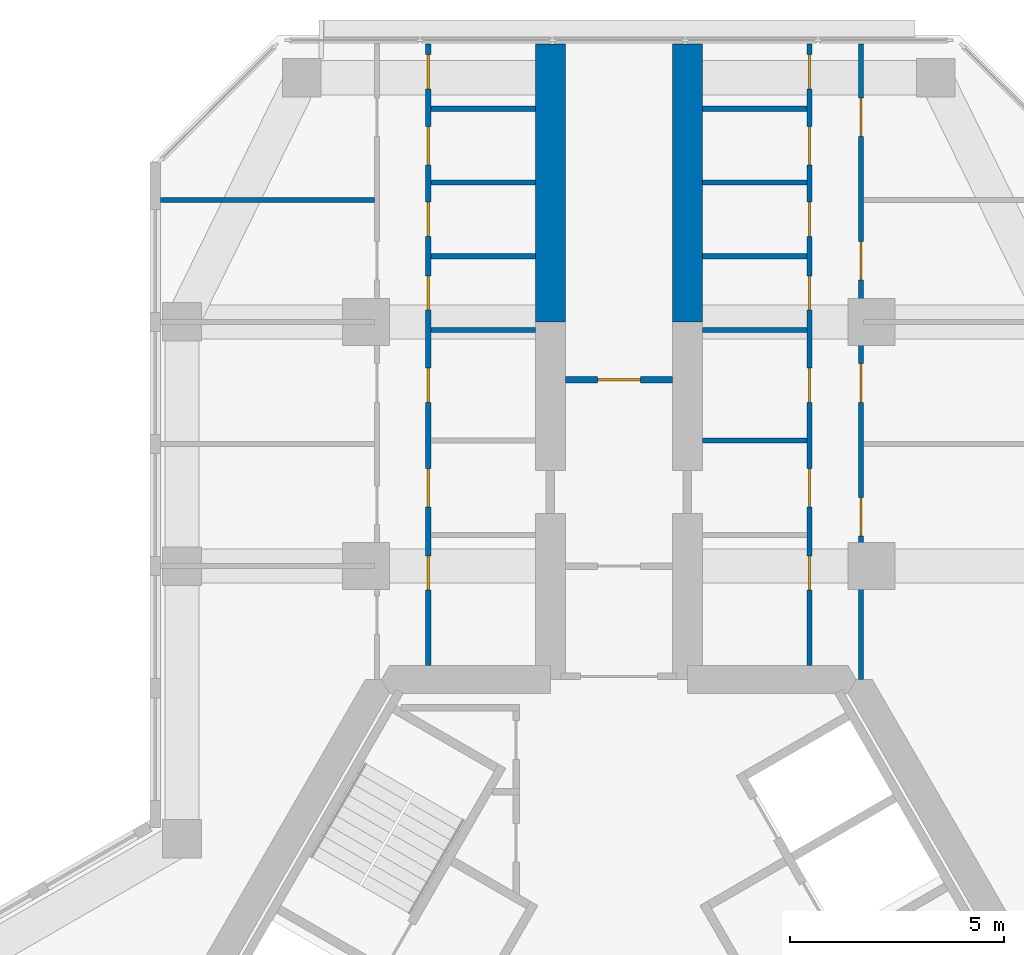
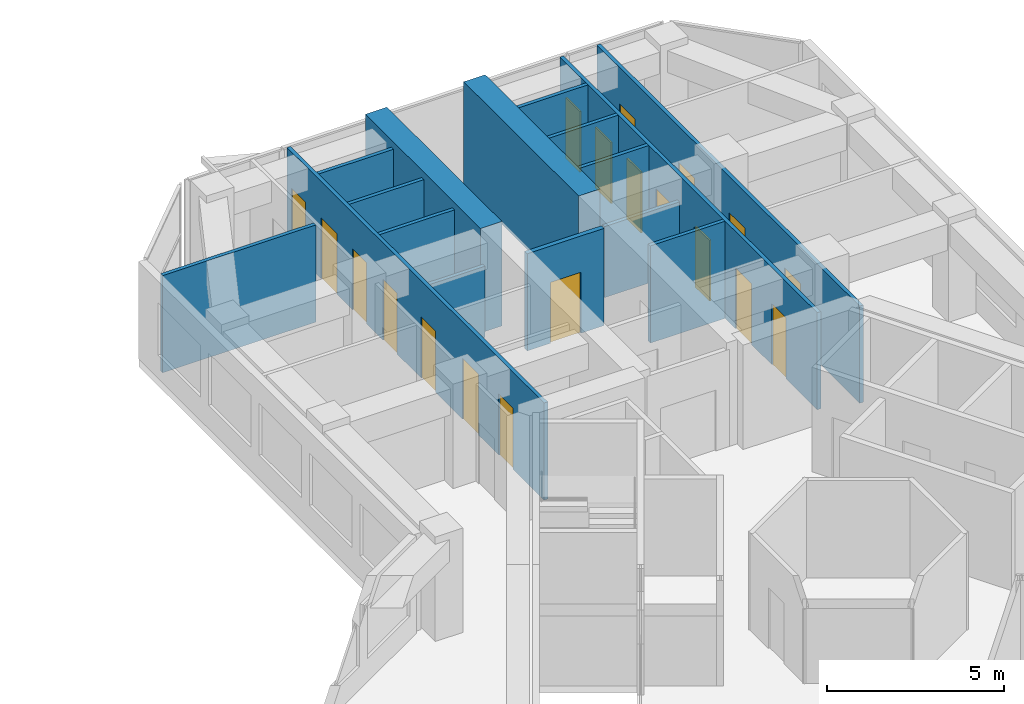
# One storey, part 15 of 17: 19 doors, 16 walls, 19 openings.
"""IFC4 building model written with IfcOpenShell, lengths in metres."""

from ifc_helpers import new_model, si_unit, direction, frame, frame_2d, origin, place, context, subcontext, project, spatial, rectangle, extrude, material, layer, layer_set, type_object, element, fill, save


model = new_model("IFC4")

# Units and contexts
model_context = context("Model", 3, precision=1e-05, world=origin(), true_north=direction((0.0, 1.0)))
body_context = subcontext(model_context, "Body", "Model", "MODEL_VIEW")
ifc_project = project(units=[si_unit("LENGTHUNIT", "METRE"), si_unit("AREAUNIT", "SQUARE_METRE"), si_unit("VOLUMEUNIT", "CUBIC_METRE"), si_unit("PLANEANGLEUNIT", "RADIAN"), si_unit("MASSUNIT", "GRAM", prefix="KILO")], contexts=[model_context])

# Site, building, storey
site_placement = place(None, origin())
site = spatial("IfcSite", under=ifc_project, at=site_placement, CompositionType="ELEMENT")
building_placement = place(site_placement, origin())
building = spatial("IfcBuilding", under=site, at=building_placement, Name="Kosmar Iwan School Tower", CompositionType="ELEMENT")
storey_placement = place(building_placement, frame((0.0, 0.0, 193.800048828125)))
storey = spatial("IfcBuildingStorey", under=building, at=storey_placement, Name="L48", CompositionType="ELEMENT", Elevation=193.800048828125)

# Walls
ifc_material_1 = material(Name="Concrete C50/60", Category="concrete")
ifc_layer_1 = layer(ifc_material_1, 0.699951171875)
ifc_layer_set_1 = layer_set([ifc_layer_1], Name="Corridor buttress wall 700")
wall_type_1 = type_object("IfcWallType", Name="Corridor buttress wall 700", PredefinedType="SHEAR", material=ifc_layer_set_1)
for number, where, z_axis, x_axis, name in (
    (1, (-1.60009765625, 17.949951171875, 0.0), (0.0, 0.0, 1.0), (0.0, 1.0, 0.0), "Corridor wall AL bay 2"),
    (2, (1.60009765625, 17.949951171875, 0.0), (0.0, 0.0, 1.0), (0.0, 1.0, 0.0), "Corridor wall AR bay 2"),
):
    element("IfcWall", number, at=place(storey_placement, frame(where, z_axis=z_axis, x_axis=x_axis)), inside=storey, type_object=wall_type_1, Name=name, PredefinedType="SHEAR", context=body_context, shape_type="SweptSolid", body=[
        extrude(rectangle(XDim=6.4951171875, YDim=0.699951171875, at=frame_2d((3.24755859375, 0.0))), origin(), (0.0, 0.0, 1.0), 3.599853515625),
    ])

# Wall, opening, door
ifc_material_2 = material(Name="Gypsum board on steel studs, fire-rated", Category="steel")
ifc_layer_2 = layer(ifc_material_2, 0.14990234375)
ifc_layer_set_2 = layer_set([ifc_layer_2], Name="Corridor end wall 150")
wall_type_2 = type_object("IfcWallType", Name="Corridor end wall 150", PredefinedType="PARTITIONING", material=ifc_layer_set_2)
wall_1_placement = place(storey_placement, frame((1.25, 16.60009765625, 0.0), z_axis=(0.0, 0.0, 1.0), x_axis=(-1.0, 0.0, 0.0)))
wall_1 = element("IfcWall", 3, at=wall_1_placement, inside=storey, type_object=wall_type_2, Name="Partition L48-A-CE", PredefinedType="PARTITIONING", context=body_context, shape_type="SweptSolid", body=[
    extrude(rectangle(XDim=2.5, YDim=0.14990234375, at=frame_2d((1.25, 0.0))), origin(), (0.0, 0.0, 1.0), 3.349853515625),
])
opening_1_placement = place(wall_1_placement, frame((0.75, 0.0, 0.0)))
opening_1 = element("IfcOpeningElement", 4, at=opening_1_placement, cuts=wall_1, Name="Opening D13", PredefinedType="OPENING", context=body_context, shape_type="SweptSolid", body=[
    extrude(rectangle(XDim=1.0, YDim=2.10009765625, at=frame_2d((0.5, 1.050048828125))), frame((0.0, 0.0869140625, 0.0), z_axis=(0.0, -1.0, 0.0), x_axis=(1.0, 0.0, 0.0)), (0.0, 0.0, 1.0), 0.173828125),
])
ifc_material_3 = material(Name="Timber fire door with vision panel", Category="wood")
door_type_1 = type_object("IfcDoorType", Name="Corridor end door 1000x2100", OperationType="SINGLE_SWING_LEFT", PredefinedType="DOOR", material=ifc_material_3)
door_1_placement = place(opening_1_placement, origin())
door_1 = element("IfcDoor", 5, at=door_1_placement, inside=storey, type_object=door_type_1, Name="Reading room door L48-A", OperationType="SINGLE_SWING_LEFT", OverallHeight=2.10009765625, OverallWidth=1.0, PredefinedType="DOOR", context=body_context, shape_type="SweptSolid", body=[
    extrude(rectangle(XDim=1.0, YDim=2.10009765625, at=frame_2d((0.5, 1.050048828125))), frame((0.0, 0.02490234375, 0.0), z_axis=(0.0, -1.0, 0.0), x_axis=(1.0, 0.0, 0.0)), (0.0, 0.0, 1.0), 0.050048828125),
])
fill(opening_1, door_1)

# Wall, openings, doors
ifc_material_4 = material(Name="Gypsum board on steel studs", Category="steel")
ifc_layer_3 = layer(ifc_material_4, 0.1201171875)
ifc_layer_set_3 = layer_set([ifc_layer_3], Name="Dwelling partition 120")
wall_type_3 = type_object("IfcWallType", Name="Dwelling partition 120", PredefinedType="PARTITIONING", material=ifc_layer_set_3)
wall_2_placement = place(storey_placement, frame((-4.449951171875, 9.925048828125, 0.0), z_axis=(0.0, 0.0, 1.0), x_axis=(0.0, 1.0, 0.0)))
wall_2 = element("IfcWall", 6, at=wall_2_placement, inside=storey, type_object=wall_type_3, Name="Partition L48-AL1-W1", PredefinedType="PARTITIONING", context=body_context, shape_type="SweptSolid", body=[
    extrude(rectangle(XDim=14.52001953125, YDim=0.1201171875, at=frame_2d((7.260009765625, 0.0))), origin(), (0.0, 0.0, 1.0), 3.349853515625),
])
opening_2_placement = place(wall_2_placement, frame((1.764892578125, 0.0, 0.0)))
opening_2 = element("IfcOpeningElement", 7, at=opening_2_placement, cuts=wall_2, Name="Opening D3", PredefinedType="OPENING", context=body_context, shape_type="SweptSolid", body=[
    extrude(rectangle(XDim=0.800048828125, YDim=2.10009765625, at=frame_2d((0.39990234375, 1.050048828125))), frame((0.0, 0.072021484375, 0.0), z_axis=(0.0, -1.0, 0.0), x_axis=(1.0, 0.0, 0.0)), (0.0, 0.0, 1.0), 0.14404296875),
])
opening_3_placement = place(wall_2_placement, frame((3.705078125, 0.0, 0.0)))
opening_3 = element("IfcOpeningElement", 8, at=opening_3_placement, cuts=wall_2, Name="Opening D2", PredefinedType="OPENING", context=body_context, shape_type="SweptSolid", body=[
    extrude(rectangle(XDim=0.89990234375, YDim=2.10009765625, at=frame_2d((0.449951171875, 1.050048828125))), frame((0.0, 0.072021484375, 0.0), z_axis=(0.0, -1.0, 0.0), x_axis=(1.0, 0.0, 0.0)), (0.0, 0.0, 1.0), 0.14404296875),
])
opening_4_placement = place(wall_2_placement, frame((6.146484375, 0.0, 0.0)))
opening_4 = element("IfcOpeningElement", 9, at=opening_4_placement, cuts=wall_2, Name="Opening D3", PredefinedType="OPENING", context=body_context, shape_type="SweptSolid", body=[
    extrude(rectangle(XDim=0.800048828125, YDim=2.10009765625, at=frame_2d((0.39990234375, 1.050048828125))), frame((0.0, 0.072021484375, 0.0), z_axis=(0.0, -1.0, 0.0), x_axis=(1.0, 0.0, 0.0)), (0.0, 0.0, 1.0), 0.14404296875),
])
opening_5_placement = place(wall_2_placement, frame((8.298583984375, 0.0, 0.0)))
opening_5 = element("IfcOpeningElement", 10, at=opening_5_placement, cuts=wall_2, Name="Opening D3", PredefinedType="OPENING", context=body_context, shape_type="SweptSolid", body=[
    extrude(rectangle(XDim=0.800048828125, YDim=2.10009765625, at=frame_2d((0.39990234375, 1.050048828125))), frame((0.0, 0.072021484375, 0.0), z_axis=(0.0, -1.0, 0.0), x_axis=(1.0, 0.0, 0.0)), (0.0, 0.0, 1.0), 0.14404296875),
])
opening_6_placement = place(wall_2_placement, frame((10.0205078125, 0.0, 0.0)))
opening_6 = element("IfcOpeningElement", 11, at=opening_6_placement, cuts=wall_2, Name="Opening D3", PredefinedType="OPENING", context=body_context, shape_type="SweptSolid", body=[
    extrude(rectangle(XDim=0.800048828125, YDim=2.10009765625, at=frame_2d((0.39990234375, 1.050048828125))), frame((0.0, 0.072021484375, 0.0), z_axis=(0.0, -1.0, 0.0), x_axis=(1.0, 0.0, 0.0)), (0.0, 0.0, 1.0), 0.14404296875),
])
opening_7_placement = place(wall_2_placement, frame((11.6923828125, 0.0, 0.0)))
opening_7 = element("IfcOpeningElement", 12, at=opening_7_placement, cuts=wall_2, Name="Opening D2", PredefinedType="OPENING", context=body_context, shape_type="SweptSolid", body=[
    extrude(rectangle(XDim=0.89990234375, YDim=2.10009765625, at=frame_2d((0.449951171875, 1.050048828125))), frame((0.0, 0.072021484375, 0.0), z_axis=(0.0, -1.0, 0.0), x_axis=(1.0, 0.0, 0.0)), (0.0, 0.0, 1.0), 0.14404296875),
])
opening_8_placement = place(wall_2_placement, frame((13.464111328125, 0.0, 0.0)))
opening_8 = element("IfcOpeningElement", 13, at=opening_8_placement, cuts=wall_2, Name="Opening D3", PredefinedType="OPENING", context=body_context, shape_type="SweptSolid", body=[
    extrude(rectangle(XDim=0.800048828125, YDim=2.10009765625, at=frame_2d((0.39990234375, 1.050048828125))), frame((0.0, 0.072021484375, 0.0), z_axis=(0.0, -1.0, 0.0), x_axis=(1.0, 0.0, 0.0)), (0.0, 0.0, 1.0), 0.14404296875),
])
ifc_material_5 = material(Name="Timber door in timber frame", Category="wood")
door_type_2 = type_object("IfcDoorType", Name="Internal door 900x2100", OperationType="SINGLE_SWING_LEFT", PredefinedType="DOOR", material=ifc_material_5)
door_2_placement = place(opening_3_placement, origin())
door_2 = element("IfcDoor", 14, at=door_2_placement, inside=storey, type_object=door_type_2, Name="Entrance hall door L48-AL1-S2", OperationType="SINGLE_SWING_LEFT", OverallHeight=2.10009765625, OverallWidth=0.89990234375, PredefinedType="DOOR", context=body_context, shape_type="SweptSolid", body=[
    extrude(rectangle(XDim=0.89990234375, YDim=2.10009765625, at=frame_2d((0.449951171875, 1.050048828125))), frame((0.0, 0.02490234375, 0.0), z_axis=(0.0, -1.0, 0.0), x_axis=(1.0, 0.0, 0.0)), (0.0, 0.0, 1.0), 0.050048828125),
])
fill(opening_3, door_2)
door_3_placement = place(opening_7_placement, origin())
door_3 = element("IfcDoor", 15, at=door_3_placement, inside=storey, type_object=door_type_2, Name="Pantry door L48-AL1-S6", OperationType="SINGLE_SWING_RIGHT", OverallHeight=2.10009765625, OverallWidth=0.89990234375, PredefinedType="DOOR", context=body_context, shape_type="SweptSolid", body=[
    extrude(rectangle(XDim=0.89990234375, YDim=2.10009765625, at=frame_2d((0.449951171875, 1.050048828125))), frame((0.0, 0.02490234375, 0.0), z_axis=(0.0, -1.0, 0.0), x_axis=(1.0, 0.0, 0.0)), (0.0, 0.0, 1.0), 0.050048828125),
])
fill(opening_7, door_3)
ifc_material_6 = material(Name="Timber door in timber frame", Category="wood")
door_type_3 = type_object("IfcDoorType", Name="Sanitary room door 800x2100", OperationType="SINGLE_SWING_LEFT", PredefinedType="DOOR", material=ifc_material_6)
door_4_placement = place(opening_2_placement, origin())
door_4 = element("IfcDoor", 16, at=door_4_placement, inside=storey, type_object=door_type_3, Name="WC door L48-AL1-S1", OperationType="SINGLE_SWING_LEFT", OverallHeight=2.10009765625, OverallWidth=0.800048828125, PredefinedType="DOOR", context=body_context, shape_type="SweptSolid", body=[
    extrude(rectangle(XDim=0.800048828125, YDim=2.10009765625, at=frame_2d((0.39990234375, 1.050048828125))), frame((0.0, 0.02490234375, 0.0), z_axis=(0.0, -1.0, 0.0), x_axis=(1.0, 0.0, 0.0)), (0.0, 0.0, 1.0), 0.050048828125),
])
fill(opening_2, door_4)
door_5_placement = place(opening_4_placement, origin())
door_5 = element("IfcDoor", 17, at=door_5_placement, inside=storey, type_object=door_type_3, Name="Bathroom door L48-AL1-S3", OperationType="SINGLE_SWING_LEFT", OverallHeight=2.10009765625, OverallWidth=0.800048828125, PredefinedType="DOOR", context=body_context, shape_type="SweptSolid", body=[
    extrude(rectangle(XDim=0.800048828125, YDim=2.10009765625, at=frame_2d((0.39990234375, 1.050048828125))), frame((0.0, 0.02490234375, 0.0), z_axis=(0.0, -1.0, 0.0), x_axis=(1.0, 0.0, 0.0)), (0.0, 0.0, 1.0), 0.050048828125),
])
fill(opening_4, door_5)
door_6_placement = place(opening_5_placement, origin())
door_6 = element("IfcDoor", 18, at=door_6_placement, inside=storey, type_object=door_type_3, Name="Grandparents' shower room door L48-AL1-S4", OperationType="SINGLE_SWING_RIGHT", OverallHeight=2.10009765625, OverallWidth=0.800048828125, PredefinedType="DOOR", context=body_context, shape_type="SweptSolid", body=[
    extrude(rectangle(XDim=0.800048828125, YDim=2.10009765625, at=frame_2d((0.39990234375, 1.050048828125))), frame((0.0, 0.02490234375, 0.0), z_axis=(0.0, -1.0, 0.0), x_axis=(1.0, 0.0, 0.0)), (0.0, 0.0, 1.0), 0.050048828125),
])
fill(opening_5, door_6)
door_7_placement = place(opening_6_placement, origin())
door_7 = element("IfcDoor", 19, at=door_7_placement, inside=storey, type_object=door_type_3, Name="Shower room door L48-AL1-S5", OperationType="SINGLE_SWING_RIGHT", OverallHeight=2.10009765625, OverallWidth=0.800048828125, PredefinedType="DOOR", context=body_context, shape_type="SweptSolid", body=[
    extrude(rectangle(XDim=0.800048828125, YDim=2.10009765625, at=frame_2d((0.39990234375, 1.050048828125))), frame((0.0, 0.02490234375, 0.0), z_axis=(0.0, -1.0, 0.0), x_axis=(1.0, 0.0, 0.0)), (0.0, 0.0, 1.0), 0.050048828125),
])
fill(opening_6, door_7)
door_8_placement = place(opening_8_placement, origin())
door_8 = element("IfcDoor", 20, at=door_8_placement, inside=storey, type_object=door_type_3, Name="Store door L48-AL1-S7", OperationType="SINGLE_SWING_RIGHT", OverallHeight=2.10009765625, OverallWidth=0.800048828125, PredefinedType="DOOR", context=body_context, shape_type="SweptSolid", body=[
    extrude(rectangle(XDim=0.800048828125, YDim=2.10009765625, at=frame_2d((0.39990234375, 1.050048828125))), frame((0.0, 0.02490234375, 0.0), z_axis=(0.0, -1.0, 0.0), x_axis=(1.0, 0.0, 0.0)), (0.0, 0.0, 1.0), 0.050048828125),
])
fill(opening_8, door_8)

# Walls
wall_3_placement = place(storey_placement, frame((-5.7099609375, 20.800048828125, 0.0), z_axis=(0.0, 0.0, 1.0), x_axis=(-1.0, 0.0, 0.0)))
element("IfcWall", 21, at=wall_3_placement, inside=storey, type_object=wall_type_3, Name="Partition L48-AL1-X4", PredefinedType="PARTITIONING", context=body_context, shape_type="SweptSolid", body=[
    extrude(rectangle(XDim=4.989990234375, YDim=0.1201171875, at=frame_2d((2.4951171875, 0.0))), origin(), (0.0, 0.0, 1.0), 3.349853515625),
])
wall_4_placement = place(storey_placement, frame((-1.949951171875, 17.7626953125, 0.0), z_axis=(0.0, 0.0, 1.0), x_axis=(-1.0, 0.0, 0.0)))
element("IfcWall", 22, at=wall_4_placement, inside=storey, type_object=wall_type_3, Name="Partition L48-AL1-Y3", PredefinedType="PARTITIONING", context=body_context, shape_type="SweptSolid", body=[
    extrude(rectangle(XDim=2.43994140625, YDim=0.1201171875, at=frame_2d((1.219970703125, 0.0))), origin(), (0.0, 0.0, 1.0), 2.449951171875),
])
for number, where, z_axis, x_axis, name in (
    (23, (-1.949951171875, 19.484619140625, 0.0), (0.0, 0.0, 1.0), (-1.0, 0.0, 0.0), "Partition L48-AL1-Y4"),
    (24, (-1.949951171875, 21.206298828125, 0.0), (0.0, 0.0, 1.0), (-1.0, 0.0, 0.0), "Partition L48-AL1-Y5"),
    (25, (-1.949951171875, 22.92822265625, 0.0), (0.0, 0.0, 1.0), (-1.0, 0.0, 0.0), "Partition L48-AL1-Y6"),
):
    element("IfcWall", number, at=place(storey_placement, frame(where, z_axis=z_axis, x_axis=x_axis)), inside=storey, type_object=wall_type_3, Name=name, PredefinedType="PARTITIONING", context=body_context, shape_type="SweptSolid", body=[
        extrude(rectangle(XDim=2.43994140625, YDim=0.1201171875, at=frame_2d((1.219970703125, 0.0))), origin(), (0.0, 0.0, 1.0), 3.349853515625),
    ])

# Wall, openings, doors
wall_5_placement = place(storey_placement, frame((4.449951171875, 9.925048828125, 0.0), z_axis=(0.0, 0.0, 1.0), x_axis=(0.0, 1.0, 0.0)))
wall_5 = element("IfcWall", 26, at=wall_5_placement, inside=storey, type_object=wall_type_3, Name="Partition L48-AR1-W1", PredefinedType="PARTITIONING", context=body_context, shape_type="SweptSolid", body=[
    extrude(rectangle(XDim=14.52001953125, YDim=0.1201171875, at=frame_2d((7.260009765625, 0.0))), origin(), (0.0, 0.0, 1.0), 3.349853515625),
])
opening_9_placement = place(wall_5_placement, frame((1.764892578125, 0.0, 0.0)))
opening_9 = element("IfcOpeningElement", 27, at=opening_9_placement, cuts=wall_5, Name="Opening D3", PredefinedType="OPENING", context=body_context, shape_type="SweptSolid", body=[
    extrude(rectangle(XDim=0.800048828125, YDim=2.10009765625, at=frame_2d((0.39990234375, 1.050048828125))), frame((0.0, 0.072021484375, 0.0), z_axis=(0.0, -1.0, 0.0), x_axis=(1.0, 0.0, 0.0)), (0.0, 0.0, 1.0), 0.14404296875),
])
opening_10_placement = place(wall_5_placement, frame((3.705078125, 0.0, 0.0)))
opening_10 = element("IfcOpeningElement", 28, at=opening_10_placement, cuts=wall_5, Name="Opening D2", PredefinedType="OPENING", context=body_context, shape_type="SweptSolid", body=[
    extrude(rectangle(XDim=0.89990234375, YDim=2.10009765625, at=frame_2d((0.449951171875, 1.050048828125))), frame((0.0, 0.072021484375, 0.0), z_axis=(0.0, -1.0, 0.0), x_axis=(1.0, 0.0, 0.0)), (0.0, 0.0, 1.0), 0.14404296875),
])
opening_11_placement = place(wall_5_placement, frame((6.146484375, 0.0, 0.0)))
opening_11 = element("IfcOpeningElement", 29, at=opening_11_placement, cuts=wall_5, Name="Opening D3", PredefinedType="OPENING", context=body_context, shape_type="SweptSolid", body=[
    extrude(rectangle(XDim=0.800048828125, YDim=2.10009765625, at=frame_2d((0.39990234375, 1.050048828125))), frame((0.0, 0.072021484375, 0.0), z_axis=(0.0, -1.0, 0.0), x_axis=(1.0, 0.0, 0.0)), (0.0, 0.0, 1.0), 0.14404296875),
])
opening_12_placement = place(wall_5_placement, frame((8.298583984375, 0.0, 0.0)))
opening_12 = element("IfcOpeningElement", 30, at=opening_12_placement, cuts=wall_5, Name="Opening D3", PredefinedType="OPENING", context=body_context, shape_type="SweptSolid", body=[
    extrude(rectangle(XDim=0.800048828125, YDim=2.10009765625, at=frame_2d((0.39990234375, 1.050048828125))), frame((0.0, 0.072021484375, 0.0), z_axis=(0.0, -1.0, 0.0), x_axis=(1.0, 0.0, 0.0)), (0.0, 0.0, 1.0), 0.14404296875),
])
opening_13_placement = place(wall_5_placement, frame((10.0205078125, 0.0, 0.0)))
opening_13 = element("IfcOpeningElement", 31, at=opening_13_placement, cuts=wall_5, Name="Opening D3", PredefinedType="OPENING", context=body_context, shape_type="SweptSolid", body=[
    extrude(rectangle(XDim=0.800048828125, YDim=2.10009765625, at=frame_2d((0.39990234375, 1.050048828125))), frame((0.0, 0.072021484375, 0.0), z_axis=(0.0, -1.0, 0.0), x_axis=(1.0, 0.0, 0.0)), (0.0, 0.0, 1.0), 0.14404296875),
])
opening_14_placement = place(wall_5_placement, frame((11.6923828125, 0.0, 0.0)))
opening_14 = element("IfcOpeningElement", 32, at=opening_14_placement, cuts=wall_5, Name="Opening D2", PredefinedType="OPENING", context=body_context, shape_type="SweptSolid", body=[
    extrude(rectangle(XDim=0.89990234375, YDim=2.10009765625, at=frame_2d((0.449951171875, 1.050048828125))), frame((0.0, 0.072021484375, 0.0), z_axis=(0.0, -1.0, 0.0), x_axis=(1.0, 0.0, 0.0)), (0.0, 0.0, 1.0), 0.14404296875),
])
opening_15_placement = place(wall_5_placement, frame((13.464111328125, 0.0, 0.0)))
opening_15 = element("IfcOpeningElement", 33, at=opening_15_placement, cuts=wall_5, Name="Opening D3", PredefinedType="OPENING", context=body_context, shape_type="SweptSolid", body=[
    extrude(rectangle(XDim=0.800048828125, YDim=2.10009765625, at=frame_2d((0.39990234375, 1.050048828125))), frame((0.0, 0.072021484375, 0.0), z_axis=(0.0, -1.0, 0.0), x_axis=(1.0, 0.0, 0.0)), (0.0, 0.0, 1.0), 0.14404296875),
])
door_9_placement = place(opening_10_placement, origin())
door_9 = element("IfcDoor", 34, at=door_9_placement, inside=storey, type_object=door_type_2, Name="Entrance hall door L48-AR1-S2", OperationType="SINGLE_SWING_RIGHT", OverallHeight=2.10009765625, OverallWidth=0.89990234375, PredefinedType="DOOR", context=body_context, shape_type="SweptSolid", body=[
    extrude(rectangle(XDim=0.89990234375, YDim=2.10009765625, at=frame_2d((0.449951171875, 1.050048828125))), frame((0.0, 0.02490234375, 0.0), z_axis=(0.0, -1.0, 0.0), x_axis=(1.0, 0.0, 0.0)), (0.0, 0.0, 1.0), 0.050048828125),
])
fill(opening_10, door_9)
door_10_placement = place(opening_14_placement, origin())
door_10 = element("IfcDoor", 35, at=door_10_placement, inside=storey, type_object=door_type_2, Name="Pantry door L48-AR1-S6", OperationType="SINGLE_SWING_RIGHT", OverallHeight=2.10009765625, OverallWidth=0.89990234375, PredefinedType="DOOR", context=body_context, shape_type="SweptSolid", body=[
    extrude(rectangle(XDim=0.89990234375, YDim=2.10009765625, at=frame_2d((0.449951171875, 1.050048828125))), frame((0.0, 0.02490234375, 0.0), z_axis=(0.0, -1.0, 0.0), x_axis=(1.0, 0.0, 0.0)), (0.0, 0.0, 1.0), 0.050048828125),
])
fill(opening_14, door_10)
door_11_placement = place(opening_9_placement, origin())
door_11 = element("IfcDoor", 36, at=door_11_placement, inside=storey, type_object=door_type_3, Name="WC door L48-AR1-S1", OperationType="SINGLE_SWING_RIGHT", OverallHeight=2.10009765625, OverallWidth=0.800048828125, PredefinedType="DOOR", context=body_context, shape_type="SweptSolid", body=[
    extrude(rectangle(XDim=0.800048828125, YDim=2.10009765625, at=frame_2d((0.39990234375, 1.050048828125))), frame((0.0, 0.02490234375, 0.0), z_axis=(0.0, -1.0, 0.0), x_axis=(1.0, 0.0, 0.0)), (0.0, 0.0, 1.0), 0.050048828125),
])
fill(opening_9, door_11)
door_12_placement = place(opening_11_placement, origin())
door_12 = element("IfcDoor", 37, at=door_12_placement, inside=storey, type_object=door_type_3, Name="Bathroom door L48-AR1-S3", OperationType="SINGLE_SWING_LEFT", OverallHeight=2.10009765625, OverallWidth=0.800048828125, PredefinedType="DOOR", context=body_context, shape_type="SweptSolid", body=[
    extrude(rectangle(XDim=0.800048828125, YDim=2.10009765625, at=frame_2d((0.39990234375, 1.050048828125))), frame((0.0, 0.02490234375, 0.0), z_axis=(0.0, -1.0, 0.0), x_axis=(1.0, 0.0, 0.0)), (0.0, 0.0, 1.0), 0.050048828125),
])
fill(opening_11, door_12)
door_13_placement = place(opening_12_placement, origin())
door_13 = element("IfcDoor", 38, at=door_13_placement, inside=storey, type_object=door_type_3, Name="Grandparents' shower room door L48-AR1-S4", OperationType="SINGLE_SWING_RIGHT", OverallHeight=2.10009765625, OverallWidth=0.800048828125, PredefinedType="DOOR", context=body_context, shape_type="SweptSolid", body=[
    extrude(rectangle(XDim=0.800048828125, YDim=2.10009765625, at=frame_2d((0.39990234375, 1.050048828125))), frame((0.0, 0.02490234375, 0.0), z_axis=(0.0, -1.0, 0.0), x_axis=(1.0, 0.0, 0.0)), (0.0, 0.0, 1.0), 0.050048828125),
])
fill(opening_12, door_13)
door_14_placement = place(opening_13_placement, origin())
door_14 = element("IfcDoor", 39, at=door_14_placement, inside=storey, type_object=door_type_3, Name="Shower room door L48-AR1-S5", OperationType="SINGLE_SWING_LEFT", OverallHeight=2.10009765625, OverallWidth=0.800048828125, PredefinedType="DOOR", context=body_context, shape_type="SweptSolid", body=[
    extrude(rectangle(XDim=0.800048828125, YDim=2.10009765625, at=frame_2d((0.39990234375, 1.050048828125))), frame((0.0, 0.02490234375, 0.0), z_axis=(0.0, -1.0, 0.0), x_axis=(1.0, 0.0, 0.0)), (0.0, 0.0, 1.0), 0.050048828125),
])
fill(opening_13, door_14)
door_15_placement = place(opening_15_placement, origin())
door_15 = element("IfcDoor", 40, at=door_15_placement, inside=storey, type_object=door_type_3, Name="Store door L48-AR1-S7", OperationType="SINGLE_SWING_RIGHT", OverallHeight=2.10009765625, OverallWidth=0.800048828125, PredefinedType="DOOR", context=body_context, shape_type="SweptSolid", body=[
    extrude(rectangle(XDim=0.800048828125, YDim=2.10009765625, at=frame_2d((0.39990234375, 1.050048828125))), frame((0.0, 0.02490234375, 0.0), z_axis=(0.0, -1.0, 0.0), x_axis=(1.0, 0.0, 0.0)), (0.0, 0.0, 1.0), 0.050048828125),
])
fill(opening_15, door_15)

wall_6_placement = place(storey_placement, frame((5.64990234375, 9.60009765625, 0.0), z_axis=(0.0, 0.0, 1.0), x_axis=(0.0, 1.0, 0.0)))
wall_6 = element("IfcWall", 41, at=wall_6_placement, inside=storey, type_object=wall_type_3, Name="Partition L48-AR1-W2", PredefinedType="PARTITIONING", context=body_context, shape_type="SweptSolid", body=[
    extrude(rectangle(XDim=14.844970703125, YDim=0.1201171875, at=frame_2d((7.42236328125, 0.0))), origin(), (0.0, 0.0, 1.0), 3.349853515625),
])
opening_16_placement = place(wall_6_placement, frame((3.35009765625, 0.0, 0.0)))
opening_16 = element("IfcOpeningElement", 42, at=opening_16_placement, cuts=wall_6, Name="Opening D2", PredefinedType="OPENING", context=body_context, shape_type="SweptSolid", body=[
    extrude(rectangle(XDim=0.89990234375, YDim=2.10009765625, at=frame_2d((0.449951171875, 1.050048828125))), frame((0.0, 0.072021484375, 0.0), z_axis=(0.0, -1.0, 0.0), x_axis=(1.0, 0.0, 0.0)), (0.0, 0.0, 1.0), 0.14404296875),
])
opening_17_placement = place(wall_6_placement, frame((6.47509765625, 0.0, 0.0)))
opening_17 = element("IfcOpeningElement", 43, at=opening_17_placement, cuts=wall_6, Name="Opening D2", PredefinedType="OPENING", context=body_context, shape_type="SweptSolid", body=[
    extrude(rectangle(XDim=0.89990234375, YDim=2.10009765625, at=frame_2d((0.449951171875, 1.050048828125))), frame((0.0, 0.072021484375, 0.0), z_axis=(0.0, -1.0, 0.0), x_axis=(1.0, 0.0, 0.0)), (0.0, 0.0, 1.0), 0.14404296875),
])
opening_18_placement = place(wall_6_placement, frame((9.324951171875, 0.0, 0.0)))
opening_18 = element("IfcOpeningElement", 44, at=opening_18_placement, cuts=wall_6, Name="Opening D2", PredefinedType="OPENING", context=body_context, shape_type="SweptSolid", body=[
    extrude(rectangle(XDim=0.89990234375, YDim=2.10009765625, at=frame_2d((0.449951171875, 1.050048828125))), frame((0.0, 0.072021484375, 0.0), z_axis=(0.0, -1.0, 0.0), x_axis=(1.0, 0.0, 0.0)), (0.0, 0.0, 1.0), 0.14404296875),
])
opening_19_placement = place(wall_6_placement, frame((12.675048828125, 0.0, 0.0)))
opening_19 = element("IfcOpeningElement", 45, at=opening_19_placement, cuts=wall_6, Name="Opening D2", PredefinedType="OPENING", context=body_context, shape_type="SweptSolid", body=[
    extrude(rectangle(XDim=0.89990234375, YDim=2.10009765625, at=frame_2d((0.449951171875, 1.050048828125))), frame((0.0, 0.072021484375, 0.0), z_axis=(0.0, -1.0, 0.0), x_axis=(1.0, 0.0, 0.0)), (0.0, 0.0, 1.0), 0.14404296875),
])
door_16_placement = place(opening_16_placement, origin())
door_16 = element("IfcDoor", 46, at=door_16_placement, inside=storey, type_object=door_type_2, Name="Living room and kitchen door L48-AR1-F1", OperationType="SINGLE_SWING_LEFT", OverallHeight=2.10009765625, OverallWidth=0.89990234375, PredefinedType="DOOR", context=body_context, shape_type="SweptSolid", body=[
    extrude(rectangle(XDim=0.89990234375, YDim=2.10009765625, at=frame_2d((0.449951171875, 1.050048828125))), frame((0.0, 0.02490234375, 0.0), z_axis=(0.0, -1.0, 0.0), x_axis=(1.0, 0.0, 0.0)), (0.0, 0.0, 1.0), 0.050048828125),
])
fill(opening_16, door_16)
door_17_placement = place(opening_17_placement, origin())
door_17 = element("IfcDoor", 47, at=door_17_placement, inside=storey, type_object=door_type_2, Name="Grandparents' suite door L48-AR1-F2", OperationType="SINGLE_SWING_LEFT", OverallHeight=2.10009765625, OverallWidth=0.89990234375, PredefinedType="DOOR", context=body_context, shape_type="SweptSolid", body=[
    extrude(rectangle(XDim=0.89990234375, YDim=2.10009765625, at=frame_2d((0.449951171875, 1.050048828125))), frame((0.0, 0.02490234375, 0.0), z_axis=(0.0, -1.0, 0.0), x_axis=(1.0, 0.0, 0.0)), (0.0, 0.0, 1.0), 0.050048828125),
])
fill(opening_17, door_17)
door_18_placement = place(opening_18_placement, origin())
door_18 = element("IfcDoor", 48, at=door_18_placement, inside=storey, type_object=door_type_2, Name="Study door L48-AR1-F3", OperationType="SINGLE_SWING_RIGHT", OverallHeight=2.10009765625, OverallWidth=0.89990234375, PredefinedType="DOOR", context=body_context, shape_type="SweptSolid", body=[
    extrude(rectangle(XDim=0.89990234375, YDim=2.10009765625, at=frame_2d((0.449951171875, 1.050048828125))), frame((0.0, 0.02490234375, 0.0), z_axis=(0.0, -1.0, 0.0), x_axis=(1.0, 0.0, 0.0)), (0.0, 0.0, 1.0), 0.050048828125),
])
fill(opening_18, door_18)
door_19_placement = place(opening_19_placement, origin())
door_19 = element("IfcDoor", 49, at=door_19_placement, inside=storey, type_object=door_type_2, Name="Bedroom 1 door L48-AR1-F4", OperationType="SINGLE_SWING_RIGHT", OverallHeight=2.10009765625, OverallWidth=0.89990234375, PredefinedType="DOOR", context=body_context, shape_type="SweptSolid", body=[
    extrude(rectangle(XDim=0.89990234375, YDim=2.10009765625, at=frame_2d((0.449951171875, 1.050048828125))), frame((0.0, 0.02490234375, 0.0), z_axis=(0.0, -1.0, 0.0), x_axis=(1.0, 0.0, 0.0)), (0.0, 0.0, 1.0), 0.050048828125),
])
fill(opening_19, door_19)

# Walls
wall_7_placement = place(storey_placement, frame((1.949951171875, 15.179931640625, 0.0), z_axis=(0.0, 0.0, 1.0), x_axis=(1.0, 0.0, 0.0)))
element("IfcWall", 50, at=wall_7_placement, inside=storey, type_object=wall_type_3, Name="Partition L48-AR1-Y2", PredefinedType="PARTITIONING", context=body_context, shape_type="SweptSolid", body=[
    extrude(rectangle(XDim=2.43994140625, YDim=0.1201171875, at=frame_2d((1.219970703125, 0.0))), origin(), (0.0, 0.0, 1.0), 3.349853515625),
])
wall_8_placement = place(storey_placement, frame((1.949951171875, 17.7626953125, 0.0), z_axis=(0.0, 0.0, 1.0), x_axis=(1.0, 0.0, 0.0)))
element("IfcWall", 51, at=wall_8_placement, inside=storey, type_object=wall_type_3, Name="Partition L48-AR1-Y3", PredefinedType="PARTITIONING", context=body_context, shape_type="SweptSolid", body=[
    extrude(rectangle(XDim=2.43994140625, YDim=0.1201171875, at=frame_2d((1.219970703125, 0.0))), origin(), (0.0, 0.0, 1.0), 2.449951171875),
])
for number, where, z_axis, x_axis, name in (
    (52, (1.949951171875, 19.484619140625, 0.0), (0.0, 0.0, 1.0), (1.0, 0.0, 0.0), "Partition L48-AR1-Y4"),
    (53, (1.949951171875, 21.206298828125, 0.0), (0.0, 0.0, 1.0), (1.0, 0.0, 0.0), "Partition L48-AR1-Y5"),
    (54, (1.949951171875, 22.92822265625, 0.0), (0.0, 0.0, 1.0), (1.0, 0.0, 0.0), "Partition L48-AR1-Y6"),
):
    element("IfcWall", number, at=place(storey_placement, frame(where, z_axis=z_axis, x_axis=x_axis)), inside=storey, type_object=wall_type_3, Name=name, PredefinedType="PARTITIONING", context=body_context, shape_type="SweptSolid", body=[
        extrude(rectangle(XDim=2.43994140625, YDim=0.1201171875, at=frame_2d((1.219970703125, 0.0))), origin(), (0.0, 0.0, 1.0), 3.349853515625),
    ])

save(model, "model.ifc")
